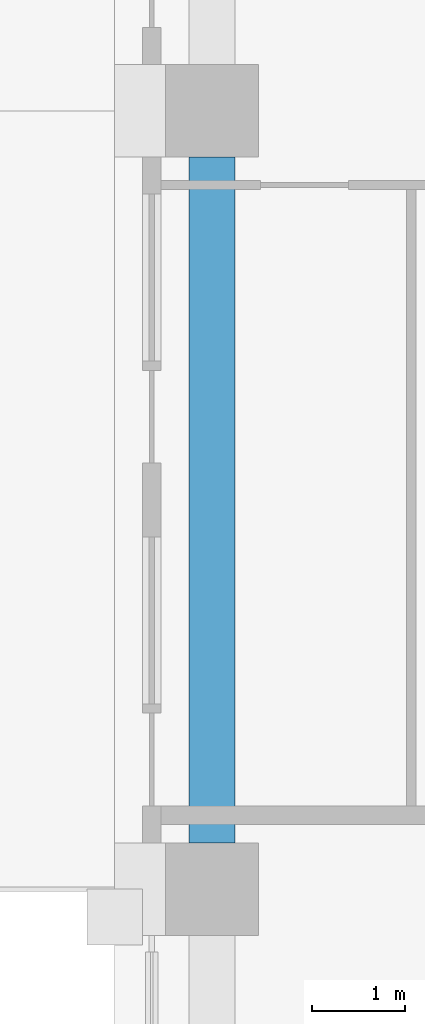
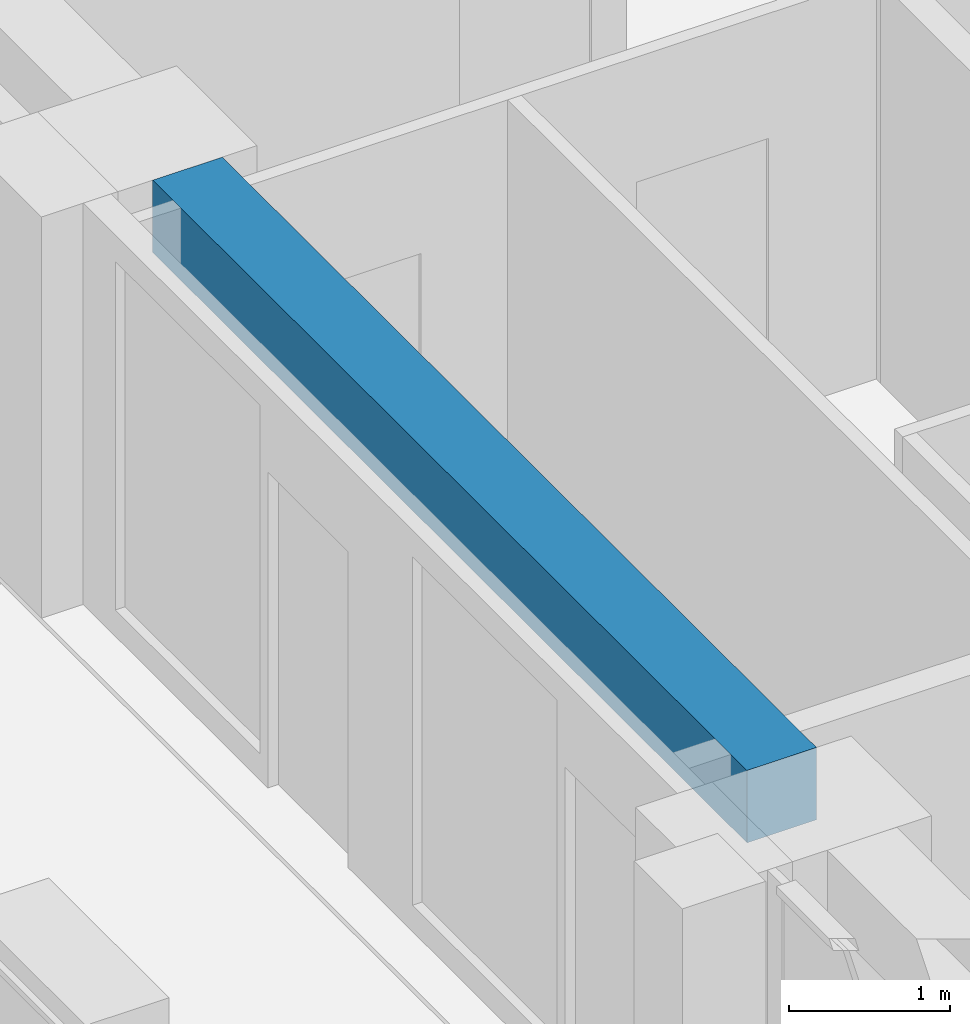
# One storey, part 3 of 17: 1 beam.
"""IFC4 building model written with IfcOpenShell, lengths in metres."""

from ifc_helpers import new_model, si_unit, direction, frame, origin, origin_2d, place, context, subcontext, project, spatial, rectangle, extrude, material, material_profile, profile_set, type_object, element, save


model = new_model("IFC4")

# Units and contexts
model_context = context("Model", 3, precision=1e-05, world=origin(), true_north=direction((0.0, 1.0)))
body_context = subcontext(model_context, "Body", "Model", "MODEL_VIEW")
ifc_project = project(units=[si_unit("LENGTHUNIT", "METRE"), si_unit("AREAUNIT", "SQUARE_METRE"), si_unit("VOLUMEUNIT", "CUBIC_METRE"), si_unit("PLANEANGLEUNIT", "RADIAN"), si_unit("MASSUNIT", "GRAM", prefix="KILO")], contexts=[model_context])

# Site, building, storey
site_placement = place(None, origin())
site = spatial("IfcSite", under=ifc_project, at=site_placement, CompositionType="ELEMENT")
building_placement = place(site_placement, origin())
building = spatial("IfcBuilding", under=site, at=building_placement, Name="Vermilion Ogive Tower", CompositionType="ELEMENT")
storey_placement = place(building_placement, frame((0.0, 0.0, 196.25)))
storey = spatial("IfcBuildingStorey", under=building, at=storey_placement, Name="L51", CompositionType="ELEMENT", Elevation=196.25)

# Beam
ifc_material = material(Name="Concrete B45", Category="concrete")
ifc_material_profile = material_profile(ifc_material, rectangle(XDim=0.5, YDim=0.550048828125, at=origin_2d()), Name="500 x 550")
ifc_profile_set = profile_set([ifc_material_profile], Name="Concrete B45")
beam_type = type_object("IfcBeamType", Name="Edge beam 500 x 550 B45", PredefinedType="BEAM", material=ifc_profile_set)
beam_placement = place(storey_placement, frame((-25.199951171875, 3.699951171875, 2.77490234375), z_axis=(0.0, -1.0, 0.0), x_axis=(1.0, 0.0, 0.0)))
element("IfcBeam", 1, at=beam_placement, inside=storey, type_object=beam_type, Name="L51-EB-15", PredefinedType="BEAM", context=body_context, shape_type="SweptSolid", body=[
    extrude(rectangle(XDim=0.5, YDim=0.550048828125, at=origin_2d()), origin(), (0.0, 0.0, 1.0), 7.39990234375),
])

save(model, "model.ifc")
